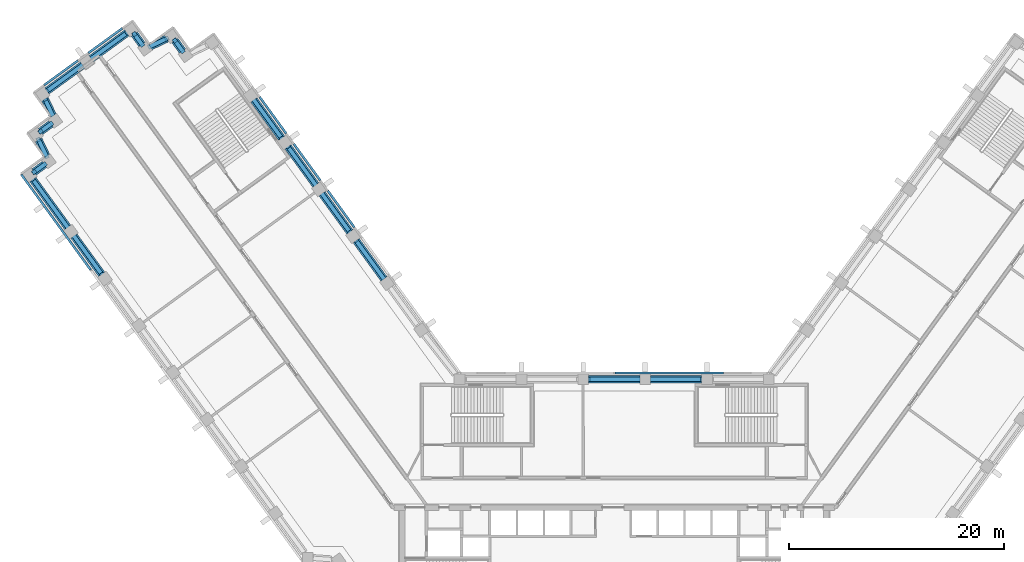
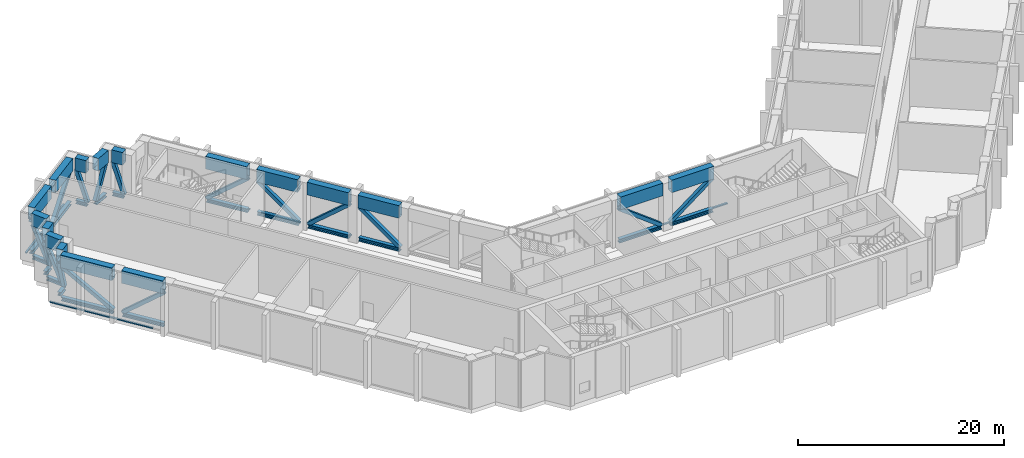
"""IFC4 building model written with IfcOpenShell, lengths in metres."""

from ifc_helpers import new_model, si_unit, direction, frame, origin, origin_2d, place, context, subcontext, project, spatial, rectangle, hollow_rectangle, i_section, extrude, material, material_profile, profile_set, type_object, element, aggregate, save


model = new_model("IFC4")

# Units and contexts
model_context = context("Model", 3, precision=1e-05, world=origin(), true_north=direction((0.0, 1.0)))
body_context = subcontext(model_context, "Body", "Model", "MODEL_VIEW")
ifc_project = project(units=[si_unit("LENGTHUNIT", "METRE"), si_unit("AREAUNIT", "SQUARE_METRE"), si_unit("VOLUMEUNIT", "CUBIC_METRE"), si_unit("PLANEANGLEUNIT", "RADIAN"), si_unit("MASSUNIT", "GRAM", prefix="KILO")], contexts=[model_context])

# Site, building, storey
site_placement = place(None, origin())
site = spatial("IfcSite", under=ifc_project, at=site_placement, CompositionType="ELEMENT")
building_placement = place(site_placement, origin())
building = spatial("IfcBuilding", under=site, at=building_placement, Name="Quipu Civic Tower", CompositionType="ELEMENT")
storey_1_placement = place(building_placement, frame((0.0, 0.0, 25.0)))
storey_1 = spatial("IfcBuildingStorey", under=building, at=storey_1_placement, Name="L05", CompositionType="ELEMENT", Elevation=25.0)

# Beams
ifc_material_1 = material(Name="Steel ASTM A992 Grade 50 (fy 345 MPa)", Category="steel")
ifc_material_profile_1 = material_profile(ifc_material_1, i_section(OverallWidth=0.41552734375, OverallDepth=0.445556640625, WebThickness=0.0390625, FlangeThickness=0.062744140625, at=origin_2d()), Name="W360x509")
ifc_profile_set_1 = profile_set([ifc_material_profile_1], Name="Steel ASTM A992 Grade 50 (fy 345 MPa)")
beam_type_1 = type_object("IfcBeamType", Name="Belt truss bottom chord W360x509", PredefinedType="BEAM", material=ifc_profile_set_1)
for number, where, z_axis, x_axis, name in (
    (1, (-21.441162109375, 19.848388671875, 0.32275390625), (-0.587759228046, 0.809035901457, 0.0), (-0.809035901457, -0.587759228046, 0.0), "Truss bottom chord L05 W-IN-02 to W-IN-03"),
    (2, (-24.615234375, 24.217041015625, 0.32275390625), (-0.587732844487, 0.809055068281, 0.0), (-0.809055068281, -0.587732844487, 0.0), "Truss bottom chord L05 W-IN-03 to W-IN-04"),
    (3, (-27.7890625, 28.5859375, 0.32275390625), (-0.587759228046, 0.809035901457, 0.0), (-0.809035901457, -0.587759228046, 0.0), "Truss bottom chord L05 W-IN-04 to W-IN-05"),
    (4, (-30.962890625, 32.954833984375, 0.32275390625), (-0.587759228046, 0.809035901457, 0.0), (-0.809035901457, -0.587759228046, 0.0), "Truss bottom chord L05 W-IN-05 to W-IN-06"),
):
    element("IfcBeam", number, at=place(storey_1_placement, frame(where, z_axis=z_axis, x_axis=x_axis)), inside=storey_1, type_object=beam_type_1, Name=name, PredefinedType="BEAM", context=body_context, shape_type="SweptSolid", body=[
        extrude(i_section(OverallWidth=0.41552734375, OverallDepth=0.445556640625, WebThickness=0.0390625, FlangeThickness=0.062744140625, at=origin_2d()), origin(), (0.0, 0.0, 1.0), 4.400146484375),
    ])
beam_1_placement = place(storey_1_placement, frame((-40.19970703125, 41.0703125, 0.32275390625), z_axis=(-0.588316837584, 0.808630508091, 0.0), x_axis=(-0.808630508091, -0.588316837584, 0.0)))
element("IfcBeam", 5, at=beam_1_placement, inside=storey_1, type_object=beam_type_1, Name="Truss bottom chord L05 T-Wi.1-W50 to T-Wi.2-W50", PredefinedType="BEAM", context=body_context, shape_type="SweptSolid", body=[
    extrude(i_section(OverallWidth=0.41552734375, OverallDepth=0.445556640625, WebThickness=0.0390625, FlangeThickness=0.062744140625, at=origin_2d()), origin(), (0.0, 0.0, 1.0), 1.2001953125),
])
beam_2_placement = place(storey_1_placement, frame((-41.658935546875, 42.22607421875, 0.32275390625), z_axis=(-0.902651065962, -0.430373155666, 0.0), x_axis=(0.430373155666, -0.902651065962, 0.0)))
element("IfcBeam", 6, at=beam_2_placement, inside=storey_1, type_object=beam_type_1, Name="Truss bottom chord L05 T-Wi.2-W50 to T-Wi.3-W50", PredefinedType="BEAM", context=body_context, shape_type="SweptSolid", body=[
    extrude(i_section(OverallWidth=0.41552734375, OverallDepth=0.445556640625, WebThickness=0.0390625, FlangeThickness=0.062744140625, at=origin_2d()), origin(), (0.0, 0.0, 1.0), 1.724609375),
])
beam_3_placement = place(storey_1_placement, frame((-43.96875, 41.669189453125, 0.32275390625), z_axis=(-0.588461629015, 0.808525145667, 0.0), x_axis=(-0.808525145667, -0.588461629015, 0.0)))
element("IfcBeam", 7, at=beam_3_placement, inside=storey_1, type_object=beam_type_1, Name="Truss bottom chord L05 T-Wi.3-W50 to T-Wi.4-W50", PredefinedType="BEAM", context=body_context, shape_type="SweptSolid", body=[
    extrude(i_section(OverallWidth=0.41552734375, OverallDepth=0.445556640625, WebThickness=0.0390625, FlangeThickness=0.062744140625, at=origin_2d()), origin(), (0.0, 0.0, 1.0), 1.201416015625),
])
beam_4_placement = place(storey_1_placement, frame((-45.37451171875, 42.7509765625, 0.32275390625), z_axis=(-0.808983206573, -0.587831754401, 0.0), x_axis=(0.587831754401, -0.808983206573, 0.0)))
element("IfcBeam", 8, at=beam_4_placement, inside=storey_1, type_object=beam_type_1, Name="Truss bottom chord L05 T-Wi.4-W50 to TIP-W-01-W50", PredefinedType="BEAM", context=body_context, shape_type="SweptSolid", body=[
    extrude(i_section(OverallWidth=0.41552734375, OverallDepth=0.445556640625, WebThickness=0.0390625, FlangeThickness=0.062744140625, at=origin_2d()), origin(), (0.0, 0.0, 1.0), 4.10009765625),
])
beam_5_placement = place(storey_1_placement, frame((-49.500244140625, 39.7529296875, 0.32275390625), z_axis=(-0.808980758408, -0.587835123589, 0.0), x_axis=(0.587835123589, -0.808980758408, 0.0)))
element("IfcBeam", 9, at=beam_5_placement, inside=storey_1, type_object=beam_type_1, Name="Truss bottom chord L05 TIP-W-01-W50 to T-Wo.0-W50", PredefinedType="BEAM", context=body_context, shape_type="SweptSolid", body=[
    extrude(i_section(OverallWidth=0.41552734375, OverallDepth=0.445556640625, WebThickness=0.0390625, FlangeThickness=0.062744140625, at=origin_2d()), origin(), (0.0, 0.0, 1.0), 4.097900390625),
])
beam_6_placement = place(storey_1_placement, frame((-53.001220703125, 36.5908203125, 0.32275390625), z_axis=(0.430185740912, -0.902740399182, 0.0), x_axis=(0.902740399182, 0.430185740912, 0.0)))
element("IfcBeam", 10, at=beam_6_placement, inside=storey_1, type_object=beam_type_1, Name="Truss bottom chord L05 T-Wo.0-W50 to T-Wo.1-W50", PredefinedType="BEAM", context=body_context, shape_type="SweptSolid", body=[
    extrude(i_section(OverallWidth=0.41552734375, OverallDepth=0.445556640625, WebThickness=0.0390625, FlangeThickness=0.062744140625, at=origin_2d()), origin(), (0.0, 0.0, 1.0), 1.728759765625),
])
beam_7_placement = place(storey_1_placement, frame((-52.443115234375, 34.27685546875, 0.32275390625), z_axis=(-0.808586856323, -0.588376831446, 0.0), x_axis=(0.588376831446, -0.808586856323, 0.0)))
element("IfcBeam", 11, at=beam_7_placement, inside=storey_1, type_object=beam_type_1, Name="Truss bottom chord L05 T-Wo.1-W50 to T-Wo.2-W50", PredefinedType="BEAM", context=body_context, shape_type="SweptSolid", body=[
    extrude(i_section(OverallWidth=0.41552734375, OverallDepth=0.445556640625, WebThickness=0.0390625, FlangeThickness=0.062744140625, at=origin_2d()), origin(), (0.0, 0.0, 1.0), 1.202880859375),
])
beam_8_placement = place(storey_1_placement, frame((-53.6005859375, 32.81640625, 0.32275390625), z_axis=(0.431370473785, -0.902174880135, 0.0), x_axis=(0.902174880135, 0.431370473785, 0.0)))
element("IfcBeam", 12, at=beam_8_placement, inside=storey_1, type_object=beam_type_1, Name="Truss bottom chord L05 T-Wo.2-W50 to T-Wo.3-W50", PredefinedType="BEAM", context=body_context, shape_type="SweptSolid", body=[
    extrude(i_section(OverallWidth=0.41552734375, OverallDepth=0.445556640625, WebThickness=0.0390625, FlangeThickness=0.062744140625, at=origin_2d()), origin(), (0.0, 0.0, 1.0), 1.727294921875),
])
beam_9_placement = place(storey_1_placement, frame((-53.040283203125, 30.50537109375, 0.32275390625), z_axis=(-0.808630508091, -0.588316837584, 0.0), x_axis=(0.588316837584, -0.808630508091, 0.0)))
element("IfcBeam", 13, at=beam_9_placement, inside=storey_1, type_object=beam_type_1, Name="Truss bottom chord L05 T-Wo.3-W50 to T-Wo.4-W50", PredefinedType="BEAM", context=body_context, shape_type="SweptSolid", body=[
    extrude(i_section(OverallWidth=0.41552734375, OverallDepth=0.445556640625, WebThickness=0.0390625, FlangeThickness=0.062744140625, at=origin_2d()), origin(), (0.0, 0.0, 1.0), 1.2001953125),
])
beam_10_placement = place(storey_1_placement, frame((-54.12109375, 29.1005859375, 0.32275390625), z_axis=(0.587765432916, -0.809031393624, 0.0), x_axis=(0.809031393624, 0.587765432916, 0.0)))
element("IfcBeam", 14, at=beam_10_placement, inside=storey_1, type_object=beam_type_1, Name="Truss bottom chord L05 T-Wo.4-W50 to W-OUT-07", PredefinedType="BEAM", context=body_context, shape_type="SweptSolid", body=[
    extrude(i_section(OverallWidth=0.41552734375, OverallDepth=0.445556640625, WebThickness=0.0390625, FlangeThickness=0.062744140625, at=origin_2d()), origin(), (0.0, 0.0, 1.0), 5.503662109375),
])
beam_11_placement = place(storey_1_placement, frame((-50.298583984375, 23.839111328125, 0.32275390625), z_axis=(0.587759228046, -0.809035901457, 0.0), x_axis=(0.809035901457, 0.587759228046, 0.0)))
element("IfcBeam", 15, at=beam_11_placement, inside=storey_1, type_object=beam_type_1, Name="Truss bottom chord L05 W-OUT-07 to W-OUT-06", PredefinedType="BEAM", context=body_context, shape_type="SweptSolid", body=[
    extrude(i_section(OverallWidth=0.41552734375, OverallDepth=0.445556640625, WebThickness=0.0390625, FlangeThickness=0.062744140625, at=origin_2d()), origin(), (0.0, 0.0, 1.0), 4.400146484375),
])
beam_12_placement = place(storey_1_placement, frame((8.13720703125, 10.5, 0.32275390625), z_axis=(-1.0, 0.0, 0.0), x_axis=(0.0, -1.0, 0.0)))
element("IfcBeam", 16, at=beam_12_placement, inside=storey_1, type_object=beam_type_1, Name="Truss bottom chord L05 FRONT-01 to FRONT-02", PredefinedType="BEAM", context=body_context, shape_type="SweptSolid", body=[
    extrude(i_section(OverallWidth=0.41552734375, OverallDepth=0.445556640625, WebThickness=0.0390625, FlangeThickness=0.062744140625, at=origin_2d()), origin(), (0.0, 0.0, 1.0), 4.75830078125),
])
beam_13_placement = place(storey_1_placement, frame((2.37890625, 10.5, 0.32275390625), z_axis=(-1.0, 0.0, 0.0), x_axis=(0.0, -1.0, 0.0)))
element("IfcBeam", 17, at=beam_13_placement, inside=storey_1, type_object=beam_type_1, Name="Truss bottom chord L05 FRONT-02 to FRONT-03", PredefinedType="BEAM", context=body_context, shape_type="SweptSolid", body=[
    extrude(i_section(OverallWidth=0.41552734375, OverallDepth=0.445556640625, WebThickness=0.0390625, FlangeThickness=0.062744140625, at=origin_2d()), origin(), (0.0, 0.0, 1.0), 4.7578125),
])

# Members
ifc_material_2 = material(Name="Steel ASTM A500 Grade C (fy 345 MPa)", Category="steel")
ifc_material_profile_2 = material_profile(ifc_material_2, hollow_rectangle(XDim=0.406494140625, YDim=0.406494140625, WallThickness=0.015869140625, at=origin_2d()), Name="HSS406x406x16")
ifc_profile_set_2 = profile_set([ifc_material_profile_2], Name="Steel ASTM A500 Grade C (fy 345 MPa)")
member_type_1 = type_object("IfcMemberType", Name="Belt truss diagonal HSS406x406x16", PredefinedType="BRACE", material=ifc_profile_set_2)
member_1_placement = place(storey_1_placement, frame((-21.441162109375, 19.848388671875, 0.54541015625), z_axis=(-0.454675853554, 0.62584995947, 0.633704739155), x_axis=(-0.809035901457, -0.587759228046, 0.0)))
element("IfcMember", 18, at=member_1_placement, inside=storey_1, type_object=member_type_1, Name="Truss diagonal L05 W-IN-02 to W-IN-03", PredefinedType="BRACE", context=body_context, shape_type="SweptSolid", body=[
    extrude(hollow_rectangle(XDim=0.406494140625, YDim=0.406494140625, WallThickness=0.015869140625, at=origin_2d()), origin(), (0.0, 0.0, 1.0), 5.68798828125),
])
member_2_placement = place(storey_1_placement, frame((-24.615234375, 24.217041015625, 4.14990234375), z_axis=(-0.454663639708, 0.625876068557, -0.6336877161), x_axis=(-0.809055068281, -0.587732844487, 0.0)))
element("IfcMember", 19, at=member_2_placement, inside=storey_1, type_object=member_type_1, Name="Truss diagonal L05 W-IN-03 to W-IN-04", PredefinedType="BRACE", context=body_context, shape_type="SweptSolid", body=[
    extrude(hollow_rectangle(XDim=0.406494140625, YDim=0.406494140625, WallThickness=0.015869140625, at=origin_2d()), origin(), (0.0, 0.0, 1.0), 5.688232421875),
])
for number, where, z_axis, x_axis, name in (
    (20, (-27.7890625, 28.5859375, 0.54541015625), (-0.454675853554, 0.62584995947, 0.633704739155), (-0.809035901457, -0.587759228046, 0.0), "Truss diagonal L05 W-IN-04 to W-IN-05"),
    (21, (-30.962890625, 32.954833984375, 4.14990234375), (-0.454675853554, 0.62584995947, -0.633704739155), (-0.809035901457, -0.587759228046, 0.0), "Truss diagonal L05 W-IN-05 to W-IN-06"),
):
    element("IfcMember", number, at=place(storey_1_placement, frame(where, z_axis=z_axis, x_axis=x_axis)), inside=storey_1, type_object=member_type_1, Name=name, PredefinedType="BRACE", context=body_context, shape_type="SweptSolid", body=[
        extrude(hollow_rectangle(XDim=0.406494140625, YDim=0.406494140625, WallThickness=0.015869140625, at=origin_2d()), origin(), (0.0, 0.0, 1.0), 5.68798828125),
    ])
member_3_placement = place(storey_1_placement, frame((-40.19970703125, 41.0703125, 0.54541015625), z_axis=(-0.185851055978, 0.255448806194, 0.948791490479), x_axis=(-0.808630508091, -0.588316837584, 0.0)))
element("IfcMember", 22, at=member_3_placement, inside=storey_1, type_object=member_type_1, Name="Truss diagonal L05 T-Wi.1-W50 to T-Wi.2-W50", PredefinedType="BRACE", context=body_context, shape_type="SweptSolid", body=[
    extrude(hollow_rectangle(XDim=0.406494140625, YDim=0.406494140625, WallThickness=0.015869140625, at=origin_2d()), origin(), (0.0, 0.0, 1.0), 3.799072265625),
])
member_4_placement = place(storey_1_placement, frame((-41.6513671875, 42.229736328125, 4.14990234375), z_axis=(-0.392693998693, -0.187229472898, -0.900409100281), x_axis=(0.430368856287, -0.902653115841, 0.0)))
element("IfcMember", 23, at=member_4_placement, inside=storey_1, type_object=member_type_1, Name="Truss diagonal L05 T-Wi.2-W50 to T-Wi.3-W50", PredefinedType="BRACE", context=body_context, shape_type="SweptSolid", body=[
    extrude(hollow_rectangle(XDim=0.406494140625, YDim=0.406494140625, WallThickness=0.015869140625, at=origin_2d()), origin(), (0.0, 0.0, 1.0), 4.003173828125),
])
member_5_placement = place(storey_1_placement, frame((-43.96875, 41.669189453125, 0.54541015625), z_axis=(-0.186086990852, 0.255676842748, 0.948683816621), x_axis=(-0.808525145667, -0.588461629015, 0.0)))
element("IfcMember", 24, at=member_5_placement, inside=storey_1, type_object=member_type_1, Name="Truss diagonal L05 T-Wi.3-W50 to T-Wi.4-W50", PredefinedType="BRACE", context=body_context, shape_type="SweptSolid", body=[
    extrude(hollow_rectangle(XDim=0.406494140625, YDim=0.406494140625, WallThickness=0.015869140625, at=origin_2d()), origin(), (0.0, 0.0, 1.0), 3.799560546875),
])
member_6_placement = place(storey_1_placement, frame((-45.37451171875, 42.7509765625, 4.14990234375), z_axis=(-0.607577418328, -0.441484195034, -0.660258575312), x_axis=(0.587831754401, -0.808983206573, 0.0)))
element("IfcMember", 25, at=member_6_placement, inside=storey_1, type_object=member_type_1, Name="Truss diagonal L05 T-Wi.4-W50 to TIP-W-01-W50", PredefinedType="BRACE", context=body_context, shape_type="SweptSolid", body=[
    extrude(hollow_rectangle(XDim=0.406494140625, YDim=0.406494140625, WallThickness=0.015869140625, at=origin_2d()), origin(), (0.0, 0.0, 1.0), 5.459228515625),
])
member_7_placement = place(storey_1_placement, frame((-49.500244140625, 39.7529296875, 0.54541015625), z_axis=(-0.607439852725, -0.441388101247, 0.660449369293), x_axis=(0.587835123589, -0.808980758408, 0.0)))
element("IfcMember", 26, at=member_7_placement, inside=storey_1, type_object=member_type_1, Name="Truss diagonal L05 TIP-W-01-W50 to T-Wo.0-W50", PredefinedType="BRACE", context=body_context, shape_type="SweptSolid", body=[
    extrude(hollow_rectangle(XDim=0.406494140625, YDim=0.406494140625, WallThickness=0.015869140625, at=origin_2d()), origin(), (0.0, 0.0, 1.0), 5.45751953125),
])
member_8_placement = place(storey_1_placement, frame((-53.0048828125, 36.5986328125, 4.14990234375), z_axis=(0.187506114951, -0.393543393409, -0.899980585546), x_axis=(0.902767447415, 0.430128975875, 0.0)))
element("IfcMember", 27, at=member_8_placement, inside=storey_1, type_object=member_type_1, Name="Truss diagonal L05 T-Wo.0-W50 to T-Wo.1-W50", PredefinedType="BRACE", context=body_context, shape_type="SweptSolid", body=[
    extrude(hollow_rectangle(XDim=0.406494140625, YDim=0.406494140625, WallThickness=0.015869140625, at=origin_2d()), origin(), (0.0, 0.0, 1.0), 4.005126953125),
])
member_9_placement = place(storey_1_placement, frame((-52.443115234375, 34.27685546875, 0.54541015625), z_axis=(-0.255967900919, -0.18625776726, 0.94857180953), x_axis=(0.588376831446, -0.808586856323, 0.0)))
element("IfcMember", 28, at=member_9_placement, inside=storey_1, type_object=member_type_1, Name="Truss diagonal L05 T-Wo.1-W50 to T-Wo.2-W50", PredefinedType="BRACE", context=body_context, shape_type="SweptSolid", body=[
    extrude(hollow_rectangle(XDim=0.406494140625, YDim=0.406494140625, WallThickness=0.015869140625, at=origin_2d()), origin(), (0.0, 0.0, 1.0), 3.7998046875),
])
member_10_placement = place(storey_1_placement, frame((-53.604248046875, 32.823974609375, 4.14990234375), z_axis=(0.18790850985, -0.392949495777, -0.900156145174), x_axis=(0.902155540197, 0.4314109193, 0.0)))
element("IfcMember", 29, at=member_10_placement, inside=storey_1, type_object=member_type_1, Name="Truss diagonal L05 T-Wo.2-W50 to T-Wo.3-W50", PredefinedType="BRACE", context=body_context, shape_type="SweptSolid", body=[
    extrude(hollow_rectangle(XDim=0.406494140625, YDim=0.406494140625, WallThickness=0.015869140625, at=origin_2d()), origin(), (0.0, 0.0, 1.0), 4.00439453125),
])
member_11_placement = place(storey_1_placement, frame((-53.040283203125, 30.50537109375, 0.54541015625), z_axis=(-0.255448806194, -0.185851055978, 0.948791490479), x_axis=(0.588316837584, -0.808630508091, 0.0)))
element("IfcMember", 30, at=member_11_placement, inside=storey_1, type_object=member_type_1, Name="Truss diagonal L05 T-Wo.3-W50 to T-Wo.4-W50", PredefinedType="BRACE", context=body_context, shape_type="SweptSolid", body=[
    extrude(hollow_rectangle(XDim=0.406494140625, YDim=0.406494140625, WallThickness=0.015869140625, at=origin_2d()), origin(), (0.0, 0.0, 1.0), 3.799072265625),
])
member_12_placement = place(storey_1_placement, frame((-54.12109375, 29.1005859375, 4.14990234375), z_axis=(0.491698482321, -0.67679976759, -0.547881991923), x_axis=(0.809031393624, 0.587765432916, 0.0)))
element("IfcMember", 31, at=member_12_placement, inside=storey_1, type_object=member_type_1, Name="Truss diagonal L05 T-Wo.4-W50 to W-OUT-07", PredefinedType="BRACE", context=body_context, shape_type="SweptSolid", body=[
    extrude(hollow_rectangle(XDim=0.406494140625, YDim=0.406494140625, WallThickness=0.015869140625, at=origin_2d()), origin(), (0.0, 0.0, 1.0), 6.578857421875),
])
member_13_placement = place(storey_1_placement, frame((-50.298583984375, 23.839111328125, 0.54541015625), z_axis=(0.454675853554, -0.62584995947, 0.633704739155), x_axis=(0.809035901457, 0.587759228046, 0.0)))
element("IfcMember", 32, at=member_13_placement, inside=storey_1, type_object=member_type_1, Name="Truss diagonal L05 W-OUT-07 to W-OUT-06", PredefinedType="BRACE", context=body_context, shape_type="SweptSolid", body=[
    extrude(hollow_rectangle(XDim=0.406494140625, YDim=0.406494140625, WallThickness=0.015869140625, at=origin_2d()), origin(), (0.0, 0.0, 1.0), 5.68798828125),
])
member_14_placement = place(storey_1_placement, frame((8.13720703125, 10.5, 4.14990234375), z_axis=(-0.797114816043, 0.0, -0.603827765216), x_axis=(0.0, -1.0, 0.0)))
element("IfcMember", 33, at=member_14_placement, inside=storey_1, type_object=member_type_1, Name="Truss diagonal L05 FRONT-01 to FRONT-02", PredefinedType="BRACE", context=body_context, shape_type="SweptSolid", body=[
    extrude(hollow_rectangle(XDim=0.406494140625, YDim=0.406494140625, WallThickness=0.015869140625, at=origin_2d()), origin(), (0.0, 0.0, 1.0), 5.969482421875),
])
member_15_placement = place(storey_1_placement, frame((2.37890625, 10.5, 0.54541015625), z_axis=(-0.797084989173, 0.0, 0.603867137734), x_axis=(0.0, -1.0, 0.0)))
element("IfcMember", 34, at=member_15_placement, inside=storey_1, type_object=member_type_1, Name="Truss diagonal L05 FRONT-02 to FRONT-03", PredefinedType="BRACE", context=body_context, shape_type="SweptSolid", body=[
    extrude(hollow_rectangle(XDim=0.406494140625, YDim=0.406494140625, WallThickness=0.015869140625, at=origin_2d()), origin(), (0.0, 0.0, 1.0), 5.968994140625),
])

# Beams
ifc_material_3 = material(Name="Steel ASTM A572 Grade 50 (fy 345 MPa)", Category="steel")
ifc_material_profile_3 = material_profile(ifc_material_3, hollow_rectangle(XDim=0.699951171875, YDim=1.5, WallThickness=0.050048828125, at=origin_2d()), Name="BX1500x700x50")
ifc_profile_set_3 = profile_set([ifc_material_profile_3], Name="Steel ASTM A572 Grade 50 (fy 345 MPa)")
beam_type_2 = type_object("IfcBeamType", Name="Belt truss top chord BX1500x700x50", PredefinedType="BEAM", material=ifc_profile_set_3)
for number, where, z_axis, x_axis, name in (
    (35, (-21.441162109375, 19.848388671875, 4.89990234375), (-0.587759228046, 0.809035901457, 0.0), (-0.809035901457, -0.587759228046, 0.0), "Truss top chord L05 W-IN-02 to W-IN-03"),
    (36, (-24.615234375, 24.217041015625, 4.89990234375), (-0.587732844487, 0.809055068281, 0.0), (-0.809055068281, -0.587732844487, 0.0), "Truss top chord L05 W-IN-03 to W-IN-04"),
    (37, (-27.7890625, 28.5859375, 4.89990234375), (-0.587759228046, 0.809035901457, 0.0), (-0.809035901457, -0.587759228046, 0.0), "Truss top chord L05 W-IN-04 to W-IN-05"),
    (38, (-30.962890625, 32.954833984375, 4.89990234375), (-0.587759228046, 0.809035901457, 0.0), (-0.809035901457, -0.587759228046, 0.0), "Truss top chord L05 W-IN-05 to W-IN-06"),
):
    element("IfcBeam", number, at=place(storey_1_placement, frame(where, z_axis=z_axis, x_axis=x_axis)), inside=storey_1, type_object=beam_type_2, Name=name, PredefinedType="BEAM", context=body_context, shape_type="SweptSolid", body=[
        extrude(hollow_rectangle(XDim=0.699951171875, YDim=1.5, WallThickness=0.050048828125, at=origin_2d()), origin(), (0.0, 0.0, 1.0), 4.400146484375),
    ])
beam_14_placement = place(storey_1_placement, frame((-40.19970703125, 41.0703125, 4.89990234375), z_axis=(-0.588316837584, 0.808630508091, 0.0), x_axis=(-0.808630508091, -0.588316837584, 0.0)))
element("IfcBeam", 39, at=beam_14_placement, inside=storey_1, type_object=beam_type_2, Name="Truss top chord L05 T-Wi.1-W50 to T-Wi.2-W50", PredefinedType="BEAM", context=body_context, shape_type="SweptSolid", body=[
    extrude(hollow_rectangle(XDim=0.699951171875, YDim=1.5, WallThickness=0.050048828125, at=origin_2d()), origin(), (0.0, 0.0, 1.0), 1.2001953125),
])
beam_15_placement = place(storey_1_placement, frame((-41.658935546875, 42.22607421875, 4.89990234375), z_axis=(-0.902651065962, -0.430373155666, 0.0), x_axis=(0.430373155666, -0.902651065962, 0.0)))
element("IfcBeam", 40, at=beam_15_placement, inside=storey_1, type_object=beam_type_2, Name="Truss top chord L05 T-Wi.2-W50 to T-Wi.3-W50", PredefinedType="BEAM", context=body_context, shape_type="SweptSolid", body=[
    extrude(hollow_rectangle(XDim=0.699951171875, YDim=1.5, WallThickness=0.050048828125, at=origin_2d()), origin(), (0.0, 0.0, 1.0), 1.724609375),
])
beam_16_placement = place(storey_1_placement, frame((-43.96875, 41.669189453125, 4.89990234375), z_axis=(-0.588461629015, 0.808525145667, 0.0), x_axis=(-0.808525145667, -0.588461629015, 0.0)))
element("IfcBeam", 41, at=beam_16_placement, inside=storey_1, type_object=beam_type_2, Name="Truss top chord L05 T-Wi.3-W50 to T-Wi.4-W50", PredefinedType="BEAM", context=body_context, shape_type="SweptSolid", body=[
    extrude(hollow_rectangle(XDim=0.699951171875, YDim=1.5, WallThickness=0.050048828125, at=origin_2d()), origin(), (0.0, 0.0, 1.0), 1.201416015625),
])
beam_17_placement = place(storey_1_placement, frame((-45.37451171875, 42.7509765625, 4.89990234375), z_axis=(-0.808983206573, -0.587831754401, 0.0), x_axis=(0.587831754401, -0.808983206573, 0.0)))
element("IfcBeam", 42, at=beam_17_placement, inside=storey_1, type_object=beam_type_2, Name="Truss top chord L05 T-Wi.4-W50 to TIP-W-01-W50", PredefinedType="BEAM", context=body_context, shape_type="SweptSolid", body=[
    extrude(hollow_rectangle(XDim=0.699951171875, YDim=1.5, WallThickness=0.050048828125, at=origin_2d()), origin(), (0.0, 0.0, 1.0), 4.10009765625),
])
beam_18_placement = place(storey_1_placement, frame((-49.500244140625, 39.7529296875, 4.89990234375), z_axis=(-0.808980758408, -0.587835123589, 0.0), x_axis=(0.587835123589, -0.808980758408, 0.0)))
element("IfcBeam", 43, at=beam_18_placement, inside=storey_1, type_object=beam_type_2, Name="Truss top chord L05 TIP-W-01-W50 to T-Wo.0-W50", PredefinedType="BEAM", context=body_context, shape_type="SweptSolid", body=[
    extrude(hollow_rectangle(XDim=0.699951171875, YDim=1.5, WallThickness=0.050048828125, at=origin_2d()), origin(), (0.0, 0.0, 1.0), 4.097900390625),
])
beam_19_placement = place(storey_1_placement, frame((-53.001220703125, 36.5908203125, 4.89990234375), z_axis=(0.430185740912, -0.902740399182, 0.0), x_axis=(0.902740399182, 0.430185740912, 0.0)))
element("IfcBeam", 44, at=beam_19_placement, inside=storey_1, type_object=beam_type_2, Name="Truss top chord L05 T-Wo.0-W50 to T-Wo.1-W50", PredefinedType="BEAM", context=body_context, shape_type="SweptSolid", body=[
    extrude(hollow_rectangle(XDim=0.699951171875, YDim=1.5, WallThickness=0.050048828125, at=origin_2d()), origin(), (0.0, 0.0, 1.0), 1.728759765625),
])
beam_20_placement = place(storey_1_placement, frame((-52.443115234375, 34.27685546875, 4.89990234375), z_axis=(-0.808586856323, -0.588376831446, 0.0), x_axis=(0.588376831446, -0.808586856323, 0.0)))
element("IfcBeam", 45, at=beam_20_placement, inside=storey_1, type_object=beam_type_2, Name="Truss top chord L05 T-Wo.1-W50 to T-Wo.2-W50", PredefinedType="BEAM", context=body_context, shape_type="SweptSolid", body=[
    extrude(hollow_rectangle(XDim=0.699951171875, YDim=1.5, WallThickness=0.050048828125, at=origin_2d()), origin(), (0.0, 0.0, 1.0), 1.202880859375),
])
beam_21_placement = place(storey_1_placement, frame((-53.6005859375, 32.81640625, 4.89990234375), z_axis=(0.431370473785, -0.902174880135, 0.0), x_axis=(0.902174880135, 0.431370473785, 0.0)))
element("IfcBeam", 46, at=beam_21_placement, inside=storey_1, type_object=beam_type_2, Name="Truss top chord L05 T-Wo.2-W50 to T-Wo.3-W50", PredefinedType="BEAM", context=body_context, shape_type="SweptSolid", body=[
    extrude(hollow_rectangle(XDim=0.699951171875, YDim=1.5, WallThickness=0.050048828125, at=origin_2d()), origin(), (0.0, 0.0, 1.0), 1.727294921875),
])
beam_22_placement = place(storey_1_placement, frame((-53.040283203125, 30.50537109375, 4.89990234375), z_axis=(-0.808630508091, -0.588316837584, 0.0), x_axis=(0.588316837584, -0.808630508091, 0.0)))
element("IfcBeam", 47, at=beam_22_placement, inside=storey_1, type_object=beam_type_2, Name="Truss top chord L05 T-Wo.3-W50 to T-Wo.4-W50", PredefinedType="BEAM", context=body_context, shape_type="SweptSolid", body=[
    extrude(hollow_rectangle(XDim=0.699951171875, YDim=1.5, WallThickness=0.050048828125, at=origin_2d()), origin(), (0.0, 0.0, 1.0), 1.2001953125),
])
beam_23_placement = place(storey_1_placement, frame((-54.12109375, 29.1005859375, 4.89990234375), z_axis=(0.587765432916, -0.809031393624, 0.0), x_axis=(0.809031393624, 0.587765432916, 0.0)))
element("IfcBeam", 48, at=beam_23_placement, inside=storey_1, type_object=beam_type_2, Name="Truss top chord L05 T-Wo.4-W50 to W-OUT-07", PredefinedType="BEAM", context=body_context, shape_type="SweptSolid", body=[
    extrude(hollow_rectangle(XDim=0.699951171875, YDim=1.5, WallThickness=0.050048828125, at=origin_2d()), origin(), (0.0, 0.0, 1.0), 5.503662109375),
])
beam_24_placement = place(storey_1_placement, frame((-50.298583984375, 23.839111328125, 4.89990234375), z_axis=(0.587759228046, -0.809035901457, 0.0), x_axis=(0.809035901457, 0.587759228046, 0.0)))
element("IfcBeam", 49, at=beam_24_placement, inside=storey_1, type_object=beam_type_2, Name="Truss top chord L05 W-OUT-07 to W-OUT-06", PredefinedType="BEAM", context=body_context, shape_type="SweptSolid", body=[
    extrude(hollow_rectangle(XDim=0.699951171875, YDim=1.5, WallThickness=0.050048828125, at=origin_2d()), origin(), (0.0, 0.0, 1.0), 4.400146484375),
])
beam_25_placement = place(storey_1_placement, frame((8.13720703125, 10.5, 4.89990234375), z_axis=(-1.0, 0.0, 0.0), x_axis=(0.0, -1.0, 0.0)))
element("IfcBeam", 50, at=beam_25_placement, inside=storey_1, type_object=beam_type_2, Name="Truss top chord L05 FRONT-01 to FRONT-02", PredefinedType="BEAM", context=body_context, shape_type="SweptSolid", body=[
    extrude(hollow_rectangle(XDim=0.699951171875, YDim=1.5, WallThickness=0.050048828125, at=origin_2d()), origin(), (0.0, 0.0, 1.0), 4.75830078125),
])
beam_26_placement = place(storey_1_placement, frame((2.37890625, 10.5, 4.89990234375), z_axis=(-1.0, 0.0, 0.0), x_axis=(0.0, -1.0, 0.0)))
element("IfcBeam", 51, at=beam_26_placement, inside=storey_1, type_object=beam_type_2, Name="Truss top chord L05 FRONT-02 to FRONT-03", PredefinedType="BEAM", context=body_context, shape_type="SweptSolid", body=[
    extrude(hollow_rectangle(XDim=0.699951171875, YDim=1.5, WallThickness=0.050048828125, at=origin_2d()), origin(), (0.0, 0.0, 1.0), 4.7578125),
])

# Storey
storey_2_placement = place(building_placement, frame((0.0, 0.0, 16.0)))
storey_2 = spatial("IfcBuildingStorey", under=building, at=storey_2_placement, Name="L03", CompositionType="ELEMENT", Elevation=16.0)

# Curtain wall, member
ifc_material_4 = material(Name="Insulated glass unit", Category="glass")
curtain_wall_type = type_object("IfcCurtainWallType", Name="Public services curtain wall CW3", PredefinedType="NOTDEFINED", material=ifc_material_4)
curtain_wall_1_placement = place(storey_2_placement, origin())
curtain_wall_1 = element("IfcCurtainWall", 52, at=curtain_wall_1_placement, inside=storey_2, type_object=curtain_wall_type, Name="Public services curtain wall CW3 L02 run 4", PredefinedType="NOTDEFINED")
ifc_material_5 = material(Name="Anodised aluminium", Category="aluminium")
ifc_material_profile_4 = material_profile(ifc_material_5, rectangle(XDim=0.199951171875, YDim=0.139892578125, at=origin_2d()), Name="RECT 200x140")
ifc_profile_set_4 = profile_set([ifc_material_profile_4], Name="Anodised aluminium")
member_type_2 = type_object("IfcMemberType", Name="Transom CW3", PredefinedType="USERDEFINED", material=ifc_profile_set_4)
member_16_placement = place(storey_1_placement, frame((-24.18896484375, 24.650390625, 0.0), z_axis=(-0.587812175236, 0.808997433027, 0.0), x_axis=(-0.808997433027, -0.587812175236, 0.0)))
member_16 = element("IfcMember", 53, at=member_16_placement, inside=storey_1, type_object=member_type_2, Name="CW3 transom 1.4", ObjectType="TRANSOM", PredefinedType="USERDEFINED", context=body_context, shape_type="SweptSolid", body=[
    extrude(rectangle(XDim=0.199951171875, YDim=0.139892578125, at=origin_2d()), origin(), (0.0, 0.0, 1.0), 4.199951171875),
])
aggregate(curtain_wall_1, [member_16])

curtain_wall_2_placement = place(storey_2_placement, origin())
curtain_wall_2 = element("IfcCurtainWall", 54, at=curtain_wall_2_placement, inside=storey_2, type_object=curtain_wall_type, Name="Public services curtain wall CW3 L02 run 5", PredefinedType="NOTDEFINED")
member_17_placement = place(storey_1_placement, frame((-27.36328125, 29.01904296875, 0.0), z_axis=(-0.587746486169, 0.809045158194, 0.0), x_axis=(-0.809045158194, -0.587746486169, 0.0)))
member_17 = element("IfcMember", 55, at=member_17_placement, inside=storey_1, type_object=member_type_2, Name="CW3 transom 1.4", ObjectType="TRANSOM", PredefinedType="USERDEFINED", context=body_context, shape_type="SweptSolid", body=[
    extrude(rectangle(XDim=0.199951171875, YDim=0.139892578125, at=origin_2d()), origin(), (0.0, 0.0, 1.0), 4.199951171875),
])
aggregate(curtain_wall_2, [member_17])

curtain_wall_3_placement = place(storey_2_placement, origin())
curtain_wall_3 = element("IfcCurtainWall", 56, at=curtain_wall_3_placement, inside=storey_2, type_object=curtain_wall_type, Name="Public services curtain wall CW3 L02 run 6", PredefinedType="NOTDEFINED")
member_18_placement = place(storey_1_placement, frame((-30.537109375, 33.3876953125, 0.0), z_axis=(-0.587784533062, 0.809017516926, 0.0), x_axis=(-0.809017516926, -0.587784533062, 0.0)))
member_18 = element("IfcMember", 57, at=member_18_placement, inside=storey_1, type_object=member_type_2, Name="CW3 transom 1.4", ObjectType="TRANSOM", PredefinedType="USERDEFINED", context=body_context, shape_type="SweptSolid", body=[
    extrude(rectangle(XDim=0.199951171875, YDim=0.139892578125, at=origin_2d()), origin(), (0.0, 0.0, 1.0), 4.2001953125),
])
aggregate(curtain_wall_3, [member_18])

curtain_wall_4_placement = place(storey_2_placement, origin())
curtain_wall_4 = element("IfcCurtainWall", 58, at=curtain_wall_4_placement, inside=storey_2, type_object=curtain_wall_type, Name="Public services curtain wall CW3 L02 run 12", PredefinedType="NOTDEFINED")
member_19_placement = place(storey_1_placement, frame((-45.807373046875, 43.1767578125, 0.0), z_axis=(-0.809041868783, -0.587751014083, 0.0), x_axis=(0.587751014083, -0.809041868783, 0.0)))
member_19 = element("IfcMember", 59, at=member_19_placement, inside=storey_1, type_object=member_type_2, Name="CW3 transom 1.4", ObjectType="TRANSOM", PredefinedType="USERDEFINED", context=body_context, shape_type="SweptSolid", body=[
    extrude(rectangle(XDim=0.199951171875, YDim=0.139892578125, at=origin_2d()), origin(), (0.0, 0.0, 1.0), 3.89990234375),
])
aggregate(curtain_wall_4, [member_19])

curtain_wall_5_placement = place(storey_2_placement, origin())
curtain_wall_5 = element("IfcCurtainWall", 60, at=curtain_wall_5_placement, inside=storey_2, type_object=curtain_wall_type, Name="Public services curtain wall CW3 L02 run 13", PredefinedType="NOTDEFINED")
member_20_placement = place(storey_1_placement, frame((-49.93359375, 40.17919921875, 0.0), z_axis=(-0.809009543625, -0.587795507233, 0.0), x_axis=(0.587795507233, -0.809009543625, 0.0)))
member_20 = element("IfcMember", 61, at=member_20_placement, inside=storey_1, type_object=member_type_2, Name="CW3 transom 1.4", ObjectType="TRANSOM", PredefinedType="USERDEFINED", context=body_context, shape_type="SweptSolid", body=[
    extrude(rectangle(XDim=0.199951171875, YDim=0.139892578125, at=origin_2d()), origin(), (0.0, 0.0, 1.0), 3.89794921875),
])
aggregate(curtain_wall_5, [member_20])

curtain_wall_6_placement = place(storey_2_placement, origin())
curtain_wall_6 = element("IfcCurtainWall", 62, at=curtain_wall_6_placement, inside=storey_2, type_object=curtain_wall_type, Name="Public services curtain wall CW3 L02 run 18", PredefinedType="NOTDEFINED")
member_21_placement = place(storey_1_placement, frame((-55.1953125, 29.5576171875, 0.0), z_axis=(0.587797192867, -0.809008318905, 0.0), x_axis=(0.809008318905, 0.587797192867, 0.0)))
member_21 = element("IfcMember", 63, at=member_21_placement, inside=storey_1, type_object=member_type_2, Name="CW3 transom 1.4", ObjectType="TRANSOM", PredefinedType="USERDEFINED", context=body_context, shape_type="SweptSolid", body=[
    extrude(rectangle(XDim=0.199951171875, YDim=0.139892578125, at=origin_2d()), origin(), (0.0, 0.0, 1.0), 10.971435546875),
])
aggregate(curtain_wall_6, [member_21])

curtain_wall_7_placement = place(storey_2_placement, origin())
curtain_wall_7 = element("IfcCurtainWall", 64, at=curtain_wall_7_placement, inside=storey_2, type_object=curtain_wall_type, Name="Public services curtain wall CW3 L02 run 52", PredefinedType="NOTDEFINED")
member_22_placement = place(storey_1_placement, frame((10.16357421875, 11.10009765625, 0.0), z_axis=(-1.0, 0.0, 0.0), x_axis=(0.0, -1.0, 0.0)))
member_22 = element("IfcMember", 65, at=member_22_placement, inside=storey_1, type_object=member_type_2, Name="CW3 transom 1.4", ObjectType="TRANSOM", PredefinedType="USERDEFINED", context=body_context, shape_type="SweptSolid", body=[
    extrude(rectangle(XDim=0.199951171875, YDim=0.139892578125, at=origin_2d()), origin(), (0.0, 0.0, 1.0), 10.113525390625),
])
aggregate(curtain_wall_7, [member_22])

save(model, "model.ifc")
